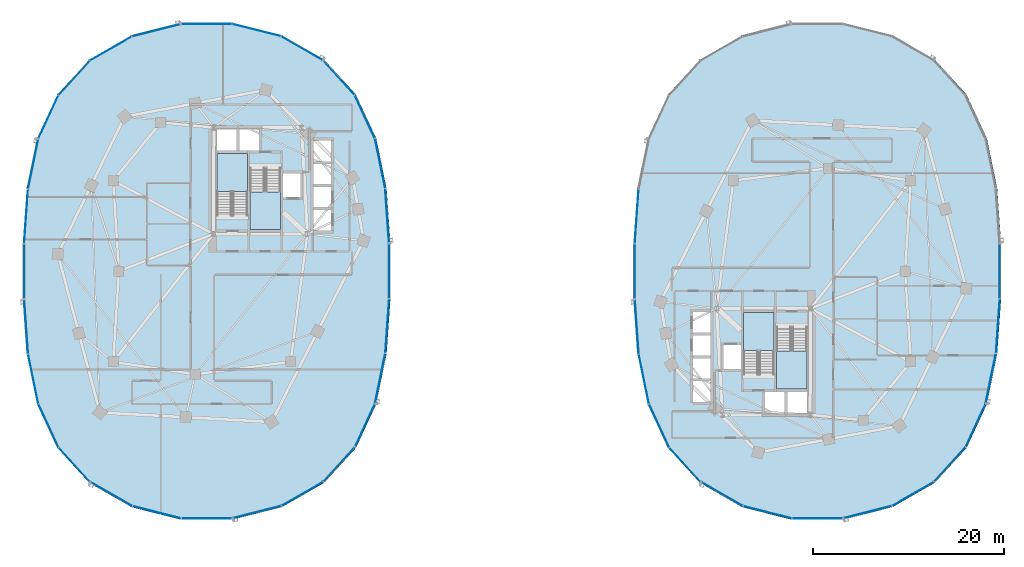
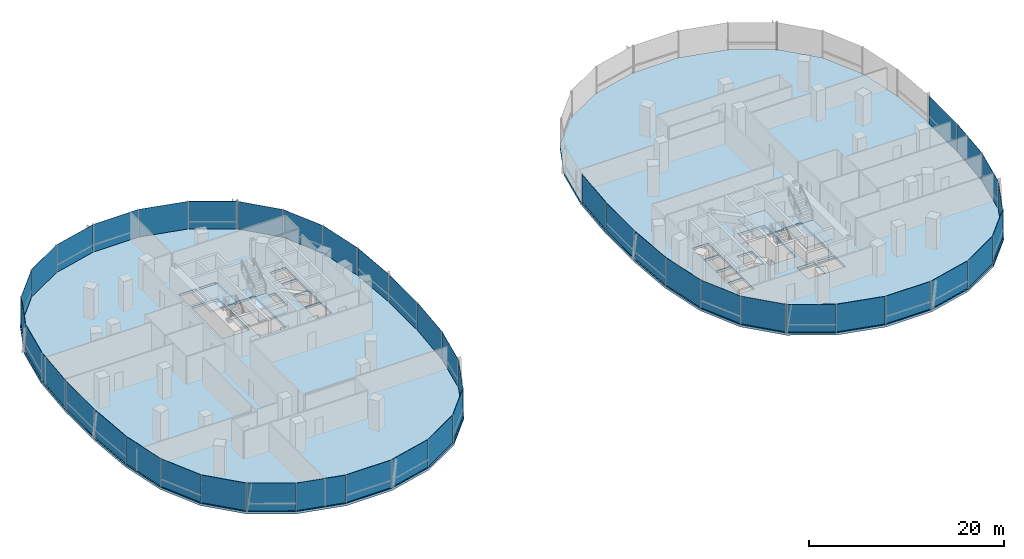
# One storey, part 9 of 21: 44 plates, 6 slabs, 11 elements without a shape of their own.
"""IFC4 building model written with IfcOpenShell, lengths in metres."""

from ifc_helpers import new_model, si_unit, direction, frame, origin, origin_2d, place, context, subcontext, project, spatial, polyline, rectangle, outline, extrude, material, layer, layer_set, type_object, element, aggregate, save


model = new_model("IFC4")

# Units and contexts
model_context = context("Model", 3, precision=1e-05, world=origin(), true_north=direction((0.0, 1.0)))
body_context = subcontext(model_context, "Body", "Model", "MODEL_VIEW")
ifc_project = project(units=[si_unit("LENGTHUNIT", "METRE"), si_unit("AREAUNIT", "SQUARE_METRE"), si_unit("VOLUMEUNIT", "CUBIC_METRE"), si_unit("PLANEANGLEUNIT", "RADIAN"), si_unit("MASSUNIT", "GRAM", prefix="KILO"), si_unit("THERMODYNAMICTEMPERATUREUNIT", "KELVIN"), si_unit("POWERUNIT", "WATT")], contexts=[model_context])

# Site, building, storey
site_placement = place(None, origin())
site = spatial("IfcSite", under=ifc_project, at=site_placement, CompositionType="ELEMENT")
building_placement = place(site_placement, origin())
building = spatial("IfcBuilding", under=site, at=building_placement, Name="Cundina Bronze Exchange", CompositionType="ELEMENT")
storey_placement = place(building_placement, frame((0.0, 0.0, 50.60009765625)))
storey = spatial("IfcBuildingStorey", under=building, at=storey_placement, Name="L12", CompositionType="ELEMENT", Elevation=50.60009765625)

# Curtain wall, plates
ifc_material_1 = material(Name="Anodised Bronze Aluminium 6063-T6", Category="aluminium")
curtain_wall_type = type_object("IfcCurtainWallType", Name="CWS-TRD-LOW", PredefinedType="NOTDEFINED", material=ifc_material_1)
curtain_wall_1_placement = place(storey_placement, origin())
curtain_wall_1 = element("IfcCurtainWall", 1, at=curtain_wall_1_placement, inside=storey, type_object=curtain_wall_type, Name="L12 CW-02 Curtain Wall Run CWR-L12-W1", PredefinedType="NOTDEFINED")
ifc_material_2 = material(Name="Heat-Strengthened Solar-Control Bronze Safety Glass 28mm", Category="glass")
ifc_layer_1 = layer(ifc_material_2, 0.028076171875, Name="Heat-Strengthened Solar-Control Bronze Safety Glass 28mm", Category="glass")
ifc_layer_set_1 = layer_set([ifc_layer_1], Name="Heat-Strengthened Solar-Control Bronze Safety Glass 28mm")
plate_type_1 = type_object("IfcPlateType", Name="PLT-GLZ-VIS28", PredefinedType="CURTAIN_PANEL", material=ifc_layer_set_1)
plate_1_placement = place(storey_placement, frame((-13.0732421875, 5.783935546875, 0.02001953125), z_axis=(0.0, 0.0, 1.0), x_axis=(-0.070278787473, 0.997527389113, 0.0)))
plate_1 = element("IfcPlate", 2, at=plate_1_placement, type_object=plate_type_1, Name="CW-02 Glazed Panel 1", PredefinedType="CURTAIN_PANEL", context=body_context, shape_type="SweptSolid", body=[
    extrude(rectangle(XDim=5.644287109375, YDim=0.028076171875, at=origin_2d()), origin(), (0.0, 0.0, 1.0), 3.4599609375),
])
plate_2_placement = place(storey_placement, frame((-13.81591796875, 11.269775390625, 0.02001953125), z_axis=(0.0, 0.0, 1.0), x_axis=(-0.201419845156, 0.979505000486, 0.0)))
plate_2 = element("IfcPlate", 3, at=plate_2_placement, type_object=plate_type_1, Name="CW-02 Glazed Panel 2", PredefinedType="CURTAIN_PANEL", context=body_context, shape_type="SweptSolid", body=[
    extrude(rectangle(XDim=5.306640625, YDim=0.028076171875, at=origin_2d()), origin(), (0.0, 0.0, 1.0), 3.4599609375),
])
plate_3_placement = place(storey_placement, frame((-18.1259765625, 20.267333984375, 0.02001953125), z_axis=(0.0, 0.0, 1.0), x_axis=(-0.674276610219, 0.73847887777, 0.0)))
plate_3 = element("IfcPlate", 4, at=plate_3_placement, type_object=plate_type_1, Name="CW-02 Glazed Panel 4", PredefinedType="CURTAIN_PANEL", context=body_context, shape_type="SweptSolid", body=[
    extrude(rectangle(XDim=4.86328125, YDim=0.028076171875, at=origin_2d()), origin(), (0.0, 0.0, 1.0), 3.4599609375),
])
plate_4_placement = place(storey_placement, frame((-21.980712890625, 23.34423828125, 0.02001953125), z_axis=(0.0, 0.0, 1.0), x_axis=(-0.867105478933, 0.498124571171, 0.0)))
plate_4 = element("IfcPlate", 5, at=plate_4_placement, type_object=plate_type_1, Name="CW-02 Glazed Panel 5", PredefinedType="CURTAIN_PANEL", context=body_context, shape_type="SweptSolid", body=[
    extrude(rectangle(XDim=5.021240234375, YDim=0.028076171875, at=origin_2d()), origin(), (0.0, 0.0, 1.0), 3.4599609375),
])
plate_5_placement = place(storey_placement, frame((-26.744384765625, 25.256591796875, 0.02001953125), z_axis=(0.0, 0.0, 1.0), x_axis=(-0.969488149345, 0.245138182011, 0.0)))
plate_5 = element("IfcPlate", 6, at=plate_5_placement, type_object=plate_type_1, Name="CW-02 Glazed Panel 6", PredefinedType="CURTAIN_PANEL", context=body_context, shape_type="SweptSolid", body=[
    extrude(rectangle(XDim=5.2333984375, YDim=0.028076171875, at=origin_2d()), origin(), (0.0, 0.0, 1.0), 3.4599609375),
])
plate_6_placement = place(storey_placement, frame((-32.0, 25.905029296875, 0.02001953125), z_axis=(0.0, 0.0, 1.0), x_axis=(-1.0, 0.0, 0.0)))
plate_6 = element("IfcPlate", 7, at=plate_6_placement, type_object=plate_type_1, Name="CW-02 Glazed Panel 7", PredefinedType="CURTAIN_PANEL", context=body_context, shape_type="SweptSolid", body=[
    extrude(rectangle(XDim=5.323974609375, YDim=0.028076171875, at=origin_2d()), origin(), (0.0, 0.0, 1.0), 3.4599609375),
])

curtain_wall_2_placement = place(storey_placement, origin())
curtain_wall_2 = element("IfcCurtainWall", 8, at=curtain_wall_2_placement, inside=storey, type_object=curtain_wall_type, Name="L12 CW-02 Curtain Wall Run CWR-L12-W2", PredefinedType="NOTDEFINED")
plate_7_placement = place(storey_placement, frame((-37.255615234375, 25.256591796875, 0.02001953125), z_axis=(0.0, 0.0, 1.0), x_axis=(-0.969488149345, -0.245138182011, 0.0)))
plate_7 = element("IfcPlate", 9, at=plate_7_placement, type_object=plate_type_1, Name="CW-02 Glazed Panel 1", PredefinedType="CURTAIN_PANEL", context=body_context, shape_type="SweptSolid", body=[
    extrude(rectangle(XDim=5.2333984375, YDim=0.028076171875, at=origin_2d()), origin(), (0.0, 0.0, 1.0), 3.4599609375),
])
plate_8_placement = place(storey_placement, frame((-45.8740234375, 20.267333984375, 0.02001953125), z_axis=(0.0, 0.0, 1.0), x_axis=(-0.674276610219, -0.73847887777, 0.0)))
plate_8 = element("IfcPlate", 10, at=plate_8_placement, type_object=plate_type_1, Name="CW-02 Glazed Panel 3", PredefinedType="CURTAIN_PANEL", context=body_context, shape_type="SweptSolid", body=[
    extrude(rectangle(XDim=4.86328125, YDim=0.028076171875, at=origin_2d()), origin(), (0.0, 0.0, 1.0), 3.4599609375),
])
plate_9_placement = place(storey_placement, frame((-48.586181640625, 16.177734375, 0.02001953125), z_axis=(0.0, 0.0, 1.0), x_axis=(-0.42084583328, -0.907132175932, 0.0)))
plate_9 = element("IfcPlate", 11, at=plate_9_placement, type_object=plate_type_1, Name="CW-02 Glazed Panel 4", PredefinedType="CURTAIN_PANEL", context=body_context, shape_type="SweptSolid", body=[
    extrude(rectangle(XDim=4.966552734375, YDim=0.028076171875, at=origin_2d()), origin(), (0.0, 0.0, 1.0), 3.4599609375),
])
plate_10_placement = place(storey_placement, frame((-50.18408203125, 11.269775390625, 0.02001953125), z_axis=(0.0, 0.0, 1.0), x_axis=(-0.201419845156, -0.979505000486, 0.0)))
plate_10 = element("IfcPlate", 12, at=plate_10_placement, type_object=plate_type_1, Name="CW-02 Glazed Panel 5", PredefinedType="CURTAIN_PANEL", context=body_context, shape_type="SweptSolid", body=[
    extrude(rectangle(XDim=5.306640625, YDim=0.028076171875, at=origin_2d()), origin(), (0.0, 0.0, 1.0), 3.4599609375),
])
plate_11_placement = place(storey_placement, frame((-50.9267578125, 5.783935546875, 0.02001953125), z_axis=(0.0, 0.0, 1.0), x_axis=(-0.070278787473, -0.997527389113, 0.0)))
plate_11 = element("IfcPlate", 13, at=plate_11_placement, type_object=plate_type_1, Name="CW-02 Glazed Panel 6", PredefinedType="CURTAIN_PANEL", context=body_context, shape_type="SweptSolid", body=[
    extrude(rectangle(XDim=5.644287109375, YDim=0.028076171875, at=origin_2d()), origin(), (0.0, 0.0, 1.0), 3.4599609375),
])

curtain_wall_3_placement = place(storey_placement, origin())
curtain_wall_3 = element("IfcCurtainWall", 14, at=curtain_wall_3_placement, inside=storey, type_object=curtain_wall_type, Name="L12 CW-02 Curtain Wall Run CWR-L12-W3", PredefinedType="NOTDEFINED")
plate_12_placement = place(storey_placement, frame((-50.18408203125, -11.269775390625, 0.02001953125), z_axis=(0.0, 0.0, 1.0), x_axis=(0.201419845156, -0.979505000486, 0.0)))
plate_12 = element("IfcPlate", 15, at=plate_12_placement, type_object=plate_type_1, Name="CW-02 Glazed Panel 2", PredefinedType="CURTAIN_PANEL", context=body_context, shape_type="SweptSolid", body=[
    extrude(rectangle(XDim=5.306640625, YDim=0.028076171875, at=origin_2d()), origin(), (0.0, 0.0, 1.0), 3.4599609375),
])
plate_13_placement = place(storey_placement, frame((-48.586181640625, -16.177734375, 0.02001953125), z_axis=(0.0, 0.0, 1.0), x_axis=(0.42084583328, -0.907132175932, 0.0)))
plate_13 = element("IfcPlate", 16, at=plate_13_placement, type_object=plate_type_1, Name="CW-02 Glazed Panel 3", PredefinedType="CURTAIN_PANEL", context=body_context, shape_type="SweptSolid", body=[
    extrude(rectangle(XDim=4.966552734375, YDim=0.028076171875, at=origin_2d()), origin(), (0.0, 0.0, 1.0), 3.4599609375),
])
plate_14_placement = place(storey_placement, frame((-45.8740234375, -20.267333984375, 0.02001953125), z_axis=(0.0, 0.0, 1.0), x_axis=(0.674276610219, -0.73847887777, 0.0)))
plate_14 = element("IfcPlate", 17, at=plate_14_placement, type_object=plate_type_1, Name="CW-02 Glazed Panel 4", PredefinedType="CURTAIN_PANEL", context=body_context, shape_type="SweptSolid", body=[
    extrude(rectangle(XDim=4.86328125, YDim=0.028076171875, at=origin_2d()), origin(), (0.0, 0.0, 1.0), 3.4599609375),
])
plate_15_placement = place(storey_placement, frame((-42.019287109375, -23.34423828125, 0.02001953125), z_axis=(0.0, 0.0, 1.0), x_axis=(0.867105478933, -0.498124571171, 0.0)))
plate_15 = element("IfcPlate", 18, at=plate_15_placement, type_object=plate_type_1, Name="CW-02 Glazed Panel 5", PredefinedType="CURTAIN_PANEL", context=body_context, shape_type="SweptSolid", body=[
    extrude(rectangle(XDim=5.021240234375, YDim=0.028076171875, at=origin_2d()), origin(), (0.0, 0.0, 1.0), 3.4599609375),
])
plate_16_placement = place(storey_placement, frame((-32.0, -25.905029296875, 0.02001953125), z_axis=(0.0, 0.0, 1.0), x_axis=(1.0, 0.0, 0.0)))
plate_16 = element("IfcPlate", 19, at=plate_16_placement, type_object=plate_type_1, Name="CW-02 Glazed Panel 7", PredefinedType="CURTAIN_PANEL", context=body_context, shape_type="SweptSolid", body=[
    extrude(rectangle(XDim=5.323974609375, YDim=0.028076171875, at=origin_2d()), origin(), (0.0, 0.0, 1.0), 3.4599609375),
])

curtain_wall_4_placement = place(storey_placement, origin())
curtain_wall_4 = element("IfcCurtainWall", 20, at=curtain_wall_4_placement, inside=storey, type_object=curtain_wall_type, Name="L12 CW-02 Curtain Wall Run CWR-L12-W4", PredefinedType="NOTDEFINED")
plate_17_placement = place(storey_placement, frame((-26.744384765625, -25.256591796875, 0.02001953125), z_axis=(0.0, 0.0, 1.0), x_axis=(0.969488149345, 0.245138182011, 0.0)))
plate_17 = element("IfcPlate", 21, at=plate_17_placement, type_object=plate_type_1, Name="CW-02 Glazed Panel 1", PredefinedType="CURTAIN_PANEL", context=body_context, shape_type="SweptSolid", body=[
    extrude(rectangle(XDim=5.2333984375, YDim=0.028076171875, at=origin_2d()), origin(), (0.0, 0.0, 1.0), 3.4599609375),
])
plate_18_placement = place(storey_placement, frame((-21.980712890625, -23.34423828125, 0.02001953125), z_axis=(0.0, 0.0, 1.0), x_axis=(0.867105478933, 0.498124571171, 0.0)))
plate_18 = element("IfcPlate", 22, at=plate_18_placement, type_object=plate_type_1, Name="CW-02 Glazed Panel 2", PredefinedType="CURTAIN_PANEL", context=body_context, shape_type="SweptSolid", body=[
    extrude(rectangle(XDim=5.021240234375, YDim=0.028076171875, at=origin_2d()), origin(), (0.0, 0.0, 1.0), 3.4599609375),
])
plate_19_placement = place(storey_placement, frame((-18.1259765625, -20.267333984375, 0.02001953125), z_axis=(0.0, 0.0, 1.0), x_axis=(0.674276610219, 0.73847887777, 0.0)))
plate_19 = element("IfcPlate", 23, at=plate_19_placement, type_object=plate_type_1, Name="CW-02 Glazed Panel 3", PredefinedType="CURTAIN_PANEL", context=body_context, shape_type="SweptSolid", body=[
    extrude(rectangle(XDim=4.86328125, YDim=0.028076171875, at=origin_2d()), origin(), (0.0, 0.0, 1.0), 3.4599609375),
])
plate_20_placement = place(storey_placement, frame((-15.413818359375, -16.177734375, 0.02001953125), z_axis=(0.0, 0.0, 1.0), x_axis=(0.42084583328, 0.907132175932, 0.0)))
plate_20 = element("IfcPlate", 24, at=plate_20_placement, type_object=plate_type_1, Name="CW-02 Glazed Panel 4", PredefinedType="CURTAIN_PANEL", context=body_context, shape_type="SweptSolid", body=[
    extrude(rectangle(XDim=4.966552734375, YDim=0.028076171875, at=origin_2d()), origin(), (0.0, 0.0, 1.0), 3.4599609375),
])
plate_21_placement = place(storey_placement, frame((-13.0732421875, -5.783935546875, 0.02001953125), z_axis=(0.0, 0.0, 1.0), x_axis=(0.070278787473, 0.997527389113, 0.0)))
plate_21 = element("IfcPlate", 25, at=plate_21_placement, type_object=plate_type_1, Name="CW-02 Glazed Panel 6", PredefinedType="CURTAIN_PANEL", context=body_context, shape_type="SweptSolid", body=[
    extrude(rectangle(XDim=5.644287109375, YDim=0.028076171875, at=origin_2d()), origin(), (0.0, 0.0, 1.0), 3.4599609375),
])
plate_22_placement = place(storey_placement, frame((-12.8720703125, 0.0, 0.02001953125), z_axis=(0.0, 0.0, 1.0), x_axis=(0.0, 1.0, 0.0)))
plate_22 = element("IfcPlate", 26, at=plate_22_placement, type_object=plate_type_1, Name="CW-02 Glazed Panel 7", PredefinedType="CURTAIN_PANEL", context=body_context, shape_type="SweptSolid", body=[
    extrude(rectangle(XDim=5.77587890625, YDim=0.028076171875, at=origin_2d()), origin(), (0.0, 0.0, 1.0), 3.4599609375),
])

# Curtain wall, plate
curtain_wall_5_placement = place(storey_placement, origin())
curtain_wall_5 = element("IfcCurtainWall", 27, at=curtain_wall_5_placement, inside=storey, type_object=curtain_wall_type, Name="L12 CW-02 Curtain Wall Run CWR-L12-E2", PredefinedType="NOTDEFINED")
plate_23_placement = place(storey_placement, frame((13.0732421875, 5.783935546875, 0.02001953125), z_axis=(0.0, 0.0, 1.0), x_axis=(-0.070278787473, -0.997527389113, 0.0)))
plate_23 = element("IfcPlate", 28, at=plate_23_placement, type_object=plate_type_1, Name="CW-02 Glazed Panel 6", PredefinedType="CURTAIN_PANEL", context=body_context, shape_type="SweptSolid", body=[
    extrude(rectangle(XDim=5.644287109375, YDim=0.028076171875, at=origin_2d()), origin(), (0.0, 0.0, 1.0), 3.4599609375),
])

# Curtain wall, plates
curtain_wall_6_placement = place(storey_placement, origin())
curtain_wall_6 = element("IfcCurtainWall", 29, at=curtain_wall_6_placement, inside=storey, type_object=curtain_wall_type, Name="L12 CW-02 Curtain Wall Run CWR-L12-E3", PredefinedType="NOTDEFINED")
plate_24_placement = place(storey_placement, frame((13.81591796875, -11.269775390625, 0.02001953125), z_axis=(0.0, 0.0, 1.0), x_axis=(0.201419845156, -0.979505000486, 0.0)))
plate_24 = element("IfcPlate", 30, at=plate_24_placement, type_object=plate_type_1, Name="CW-02 Glazed Panel 2", PredefinedType="CURTAIN_PANEL", context=body_context, shape_type="SweptSolid", body=[
    extrude(rectangle(XDim=5.306640625, YDim=0.028076171875, at=origin_2d()), origin(), (0.0, 0.0, 1.0), 3.4599609375),
])
plate_25_placement = place(storey_placement, frame((15.413818359375, -16.177734375, 0.02001953125), z_axis=(0.0, 0.0, 1.0), x_axis=(0.42084583328, -0.907132175932, 0.0)))
plate_25 = element("IfcPlate", 31, at=plate_25_placement, type_object=plate_type_1, Name="CW-02 Glazed Panel 3", PredefinedType="CURTAIN_PANEL", context=body_context, shape_type="SweptSolid", body=[
    extrude(rectangle(XDim=4.966552734375, YDim=0.028076171875, at=origin_2d()), origin(), (0.0, 0.0, 1.0), 3.4599609375),
])
plate_26_placement = place(storey_placement, frame((18.1259765625, -20.267333984375, 0.02001953125), z_axis=(0.0, 0.0, 1.0), x_axis=(0.674276610219, -0.73847887777, 0.0)))
plate_26 = element("IfcPlate", 32, at=plate_26_placement, type_object=plate_type_1, Name="CW-02 Glazed Panel 4", PredefinedType="CURTAIN_PANEL", context=body_context, shape_type="SweptSolid", body=[
    extrude(rectangle(XDim=4.86328125, YDim=0.028076171875, at=origin_2d()), origin(), (0.0, 0.0, 1.0), 3.4599609375),
])
plate_27_placement = place(storey_placement, frame((21.980712890625, -23.34423828125, 0.02001953125), z_axis=(0.0, 0.0, 1.0), x_axis=(0.867105478933, -0.498124571171, 0.0)))
plate_27 = element("IfcPlate", 33, at=plate_27_placement, type_object=plate_type_1, Name="CW-02 Glazed Panel 5", PredefinedType="CURTAIN_PANEL", context=body_context, shape_type="SweptSolid", body=[
    extrude(rectangle(XDim=5.021240234375, YDim=0.028076171875, at=origin_2d()), origin(), (0.0, 0.0, 1.0), 3.4599609375),
])
plate_28_placement = place(storey_placement, frame((32.0, -25.905029296875, 0.02001953125), z_axis=(0.0, 0.0, 1.0), x_axis=(1.0, 0.0, 0.0)))
plate_28 = element("IfcPlate", 34, at=plate_28_placement, type_object=plate_type_1, Name="CW-02 Glazed Panel 7", PredefinedType="CURTAIN_PANEL", context=body_context, shape_type="SweptSolid", body=[
    extrude(rectangle(XDim=5.323974609375, YDim=0.028076171875, at=origin_2d()), origin(), (0.0, 0.0, 1.0), 3.4599609375),
])

curtain_wall_7_placement = place(storey_placement, origin())
curtain_wall_7 = element("IfcCurtainWall", 35, at=curtain_wall_7_placement, inside=storey, type_object=curtain_wall_type, Name="L12 CW-02 Curtain Wall Run CWR-L12-E4", PredefinedType="NOTDEFINED")
plate_29_placement = place(storey_placement, frame((37.255615234375, -25.256591796875, 0.02001953125), z_axis=(0.0, 0.0, 1.0), x_axis=(0.969488149345, 0.245138182011, 0.0)))
plate_29 = element("IfcPlate", 36, at=plate_29_placement, type_object=plate_type_1, Name="CW-02 Glazed Panel 1", PredefinedType="CURTAIN_PANEL", context=body_context, shape_type="SweptSolid", body=[
    extrude(rectangle(XDim=5.2333984375, YDim=0.028076171875, at=origin_2d()), origin(), (0.0, 0.0, 1.0), 3.4599609375),
])
plate_30_placement = place(storey_placement, frame((42.019287109375, -23.34423828125, 0.02001953125), z_axis=(0.0, 0.0, 1.0), x_axis=(0.867105478933, 0.498124571171, 0.0)))
plate_30 = element("IfcPlate", 37, at=plate_30_placement, type_object=plate_type_1, Name="CW-02 Glazed Panel 2", PredefinedType="CURTAIN_PANEL", context=body_context, shape_type="SweptSolid", body=[
    extrude(rectangle(XDim=5.021240234375, YDim=0.028076171875, at=origin_2d()), origin(), (0.0, 0.0, 1.0), 3.4599609375),
])
plate_31_placement = place(storey_placement, frame((45.8740234375, -20.267333984375, 0.02001953125), z_axis=(0.0, 0.0, 1.0), x_axis=(0.674276610219, 0.73847887777, 0.0)))
plate_31 = element("IfcPlate", 38, at=plate_31_placement, type_object=plate_type_1, Name="CW-02 Glazed Panel 3", PredefinedType="CURTAIN_PANEL", context=body_context, shape_type="SweptSolid", body=[
    extrude(rectangle(XDim=4.86328125, YDim=0.028076171875, at=origin_2d()), origin(), (0.0, 0.0, 1.0), 3.4599609375),
])
plate_32_placement = place(storey_placement, frame((48.586181640625, -16.177734375, 0.02001953125), z_axis=(0.0, 0.0, 1.0), x_axis=(0.42084583328, 0.907132175932, 0.0)))
plate_32 = element("IfcPlate", 39, at=plate_32_placement, type_object=plate_type_1, Name="CW-02 Glazed Panel 4", PredefinedType="CURTAIN_PANEL", context=body_context, shape_type="SweptSolid", body=[
    extrude(rectangle(XDim=4.966552734375, YDim=0.028076171875, at=origin_2d()), origin(), (0.0, 0.0, 1.0), 3.4599609375),
])
plate_33_placement = place(storey_placement, frame((50.9267578125, -5.783935546875, 0.02001953125), z_axis=(0.0, 0.0, 1.0), x_axis=(0.070278787473, 0.997527389113, 0.0)))
plate_33 = element("IfcPlate", 40, at=plate_33_placement, type_object=plate_type_1, Name="CW-02 Glazed Panel 6", PredefinedType="CURTAIN_PANEL", context=body_context, shape_type="SweptSolid", body=[
    extrude(rectangle(XDim=5.644287109375, YDim=0.028076171875, at=origin_2d()), origin(), (0.0, 0.0, 1.0), 3.4599609375),
])
plate_34_placement = place(storey_placement, frame((51.1279296875, 0.0, 0.02001953125), z_axis=(0.0, 0.0, 1.0), x_axis=(0.0, 1.0, 0.0)))
plate_34 = element("IfcPlate", 41, at=plate_34_placement, type_object=plate_type_1, Name="CW-02 Glazed Panel 7", PredefinedType="CURTAIN_PANEL", context=body_context, shape_type="SweptSolid", body=[
    extrude(rectangle(XDim=5.77587890625, YDim=0.028076171875, at=origin_2d()), origin(), (0.0, 0.0, 1.0), 3.4599609375),
])

# Plate
ifc_material_3 = material(Name="Dark Bronze Spandrel Glass Panel 32mm", Category="glass")
ifc_layer_2 = layer(ifc_material_3, 0.031982421875, Name="Dark Bronze Spandrel Glass Panel 32mm", Category="glass")
ifc_layer_set_2 = layer_set([ifc_layer_2], Name="Dark Bronze Spandrel Glass Panel 32mm")
plate_type_2 = type_object("IfcPlateType", Name="PLT-SPN-BRZ32", PredefinedType="CURTAIN_PANEL", material=ifc_layer_set_2)
plate_35_placement = place(storey_placement, frame((-15.413818359375, 16.177734375, 0.02001953125), z_axis=(0.0, 0.0, 1.0), x_axis=(-0.42084583328, 0.907132175932, 0.0)))
plate_35 = element("IfcPlate", 42, at=plate_35_placement, type_object=plate_type_2, Name="CW-02 Glazed Panel 3", PredefinedType="CURTAIN_PANEL", context=body_context, shape_type="SweptSolid", body=[
    extrude(rectangle(XDim=4.966552734375, YDim=0.031982421875, at=origin_2d()), origin(), (0.0, 0.0, 1.0), 3.4599609375),
])

aggregate(curtain_wall_1, [plate_1, plate_2, plate_35, plate_3, plate_4, plate_5, plate_6])

plate_36_placement = place(storey_placement, frame((-42.019287109375, 23.34423828125, 0.02001953125), z_axis=(0.0, 0.0, 1.0), x_axis=(-0.867105478933, -0.498124571171, 0.0)))
plate_36 = element("IfcPlate", 43, at=plate_36_placement, type_object=plate_type_2, Name="CW-02 Glazed Panel 2", PredefinedType="CURTAIN_PANEL", context=body_context, shape_type="SweptSolid", body=[
    extrude(rectangle(XDim=5.021240234375, YDim=0.031982421875, at=origin_2d()), origin(), (0.0, 0.0, 1.0), 3.4599609375),
])

plate_37_placement = place(storey_placement, frame((-51.1279296875, 0.0, 0.02001953125), z_axis=(0.0, 0.0, 1.0), x_axis=(0.0, -1.0, 0.0)))
plate_37 = element("IfcPlate", 44, at=plate_37_placement, type_object=plate_type_2, Name="CW-02 Glazed Panel 7", PredefinedType="CURTAIN_PANEL", context=body_context, shape_type="SweptSolid", body=[
    extrude(rectangle(XDim=5.77587890625, YDim=0.031982421875, at=origin_2d()), origin(), (0.0, 0.0, 1.0), 3.4599609375),
])

aggregate(curtain_wall_2, [plate_7, plate_36, plate_8, plate_9, plate_10, plate_11, plate_37])

plate_38_placement = place(storey_placement, frame((-50.9267578125, -5.783935546875, 0.02001953125), z_axis=(0.0, 0.0, 1.0), x_axis=(0.070278787473, -0.997527389113, 0.0)))
plate_38 = element("IfcPlate", 45, at=plate_38_placement, type_object=plate_type_2, Name="CW-02 Glazed Panel 1", PredefinedType="CURTAIN_PANEL", context=body_context, shape_type="SweptSolid", body=[
    extrude(rectangle(XDim=5.644287109375, YDim=0.031982421875, at=origin_2d()), origin(), (0.0, 0.0, 1.0), 3.4599609375),
])

plate_39_placement = place(storey_placement, frame((-37.255615234375, -25.256591796875, 0.02001953125), z_axis=(0.0, 0.0, 1.0), x_axis=(0.969488149345, -0.245138182011, 0.0)))
plate_39 = element("IfcPlate", 46, at=plate_39_placement, type_object=plate_type_2, Name="CW-02 Glazed Panel 6", PredefinedType="CURTAIN_PANEL", context=body_context, shape_type="SweptSolid", body=[
    extrude(rectangle(XDim=5.2333984375, YDim=0.031982421875, at=origin_2d()), origin(), (0.0, 0.0, 1.0), 3.4599609375),
])

aggregate(curtain_wall_3, [plate_38, plate_12, plate_13, plate_14, plate_15, plate_39, plate_16])

plate_40_placement = place(storey_placement, frame((-13.81591796875, -11.269775390625, 0.02001953125), z_axis=(0.0, 0.0, 1.0), x_axis=(0.201419845156, 0.979505000486, 0.0)))
plate_40 = element("IfcPlate", 47, at=plate_40_placement, type_object=plate_type_2, Name="CW-02 Glazed Panel 5", PredefinedType="CURTAIN_PANEL", context=body_context, shape_type="SweptSolid", body=[
    extrude(rectangle(XDim=5.306640625, YDim=0.031982421875, at=origin_2d()), origin(), (0.0, 0.0, 1.0), 3.4599609375),
])

aggregate(curtain_wall_4, [plate_17, plate_18, plate_19, plate_20, plate_40, plate_21, plate_22])

plate_41_placement = place(storey_placement, frame((12.8720703125, 0.0, 0.02001953125), z_axis=(0.0, 0.0, 1.0), x_axis=(0.0, -1.0, 0.0)))
plate_41 = element("IfcPlate", 48, at=plate_41_placement, type_object=plate_type_2, Name="CW-02 Glazed Panel 7", PredefinedType="CURTAIN_PANEL", context=body_context, shape_type="SweptSolid", body=[
    extrude(rectangle(XDim=5.77587890625, YDim=0.031982421875, at=origin_2d()), origin(), (0.0, 0.0, 1.0), 3.4599609375),
])

aggregate(curtain_wall_5, [plate_23, plate_41])

plate_42_placement = place(storey_placement, frame((13.0732421875, -5.783935546875, 0.02001953125), z_axis=(0.0, 0.0, 1.0), x_axis=(0.070278787473, -0.997527389113, 0.0)))
plate_42 = element("IfcPlate", 49, at=plate_42_placement, type_object=plate_type_2, Name="CW-02 Glazed Panel 1", PredefinedType="CURTAIN_PANEL", context=body_context, shape_type="SweptSolid", body=[
    extrude(rectangle(XDim=5.644287109375, YDim=0.031982421875, at=origin_2d()), origin(), (0.0, 0.0, 1.0), 3.4599609375),
])

plate_43_placement = place(storey_placement, frame((26.744384765625, -25.256591796875, 0.02001953125), z_axis=(0.0, 0.0, 1.0), x_axis=(0.969488149345, -0.245138182011, 0.0)))
plate_43 = element("IfcPlate", 50, at=plate_43_placement, type_object=plate_type_2, Name="CW-02 Glazed Panel 6", PredefinedType="CURTAIN_PANEL", context=body_context, shape_type="SweptSolid", body=[
    extrude(rectangle(XDim=5.2333984375, YDim=0.031982421875, at=origin_2d()), origin(), (0.0, 0.0, 1.0), 3.4599609375),
])

aggregate(curtain_wall_6, [plate_42, plate_24, plate_25, plate_26, plate_27, plate_43, plate_28])

plate_44_placement = place(storey_placement, frame((50.18408203125, -11.269775390625, 0.02001953125), z_axis=(0.0, 0.0, 1.0), x_axis=(0.201419845156, 0.979505000486, 0.0)))
plate_44 = element("IfcPlate", 51, at=plate_44_placement, type_object=plate_type_2, Name="CW-02 Glazed Panel 5", PredefinedType="CURTAIN_PANEL", context=body_context, shape_type="SweptSolid", body=[
    extrude(rectangle(XDim=5.306640625, YDim=0.031982421875, at=origin_2d()), origin(), (0.0, 0.0, 1.0), 3.4599609375),
])

aggregate(curtain_wall_7, [plate_29, plate_30, plate_31, plate_32, plate_44, plate_33, plate_34])

# Stair, slab
ifc_material_4 = material(Name="Concrete C40/50", Category="concrete")
stair_type = type_object("IfcStairType", Name="STR-TRD-380", PredefinedType="HALF_TURN_STAIR", material=ifc_material_4)
stair_1_placement = place(storey_placement, origin())
stair_1 = element("IfcStair", 52, at=stair_1_placement, inside=storey, type_object=stair_type, Name="L12 Smokeproof Exit Stair W1", PredefinedType="HALF_TURN_STAIR")
ifc_layer_3 = layer(ifc_material_4, 0.199951171875, Name="Concrete C40/50", Category="concrete")
ifc_layer_set_3 = layer_set([ifc_layer_3], Name="Concrete C40/50")
slab_type_1 = type_object("IfcSlabType", Name="SLB-LND-200", PredefinedType="LANDING", material=ifc_layer_set_3)
slab_1_placement = place(storey_placement, frame((0.0, 0.0, 1.699951171875)))
slab_1 = element("IfcSlab", 53, at=slab_1_placement, type_object=slab_type_1, Name="ST-W1 landing 1", PredefinedType="LANDING", context=body_context, shape_type="SweptSolid", body=[
    extrude(outline(polyline([(-27.739990234375, 8.3701171875), (-27.739990234375, 12.35009765625), (-30.89990234375, 12.35009765625), (-30.89990234375, 8.3701171875), (-27.739990234375, 8.3701171875)])), origin(), (0.0, 0.0, 1.0), 0.199951171875),
])
aggregate(stair_1, [slab_1])

stair_2_placement = place(storey_placement, origin())
stair_2 = element("IfcStair", 54, at=stair_2_placement, inside=storey, type_object=stair_type, Name="L12 Smokeproof Exit Stair W2", PredefinedType="HALF_TURN_STAIR")
slab_2_placement = place(storey_placement, frame((0.0, 0.0, 1.699951171875)))
slab_2 = element("IfcSlab", 55, at=slab_2_placement, type_object=slab_type_1, Name="ST-W2 landing 1", PredefinedType="LANDING", context=body_context, shape_type="SweptSolid", body=[
    extrude(outline(polyline([(-27.43994140625, 8.330078125), (-27.43994140625, 4.35009765625), (-24.280029296875, 4.35009765625), (-24.280029296875, 8.330078125), (-27.43994140625, 8.330078125)])), origin(), (0.0, 0.0, 1.0), 0.199951171875),
])
aggregate(stair_2, [slab_2])

stair_3_placement = place(storey_placement, origin())
stair_3 = element("IfcStair", 56, at=stair_3_placement, inside=storey, type_object=stair_type, Name="L12 Smokeproof Exit Stair E1", PredefinedType="HALF_TURN_STAIR")
slab_3_placement = place(storey_placement, frame((0.0, 0.0, 1.699951171875)))
slab_3 = element("IfcSlab", 57, at=slab_3_placement, type_object=slab_type_1, Name="ST-E1 landing 1", PredefinedType="LANDING", context=body_context, shape_type="SweptSolid", body=[
    extrude(outline(polyline([(27.739990234375, -8.3701171875), (27.739990234375, -12.35009765625), (30.89990234375, -12.35009765625), (30.89990234375, -8.3701171875), (27.739990234375, -8.3701171875)])), origin(), (0.0, 0.0, 1.0), 0.199951171875),
])
aggregate(stair_3, [slab_3])

stair_4_placement = place(storey_placement, origin())
stair_4 = element("IfcStair", 58, at=stair_4_placement, inside=storey, type_object=stair_type, Name="L12 Smokeproof Exit Stair E2", PredefinedType="HALF_TURN_STAIR")
slab_4_placement = place(storey_placement, frame((0.0, 0.0, 1.699951171875)))
slab_4 = element("IfcSlab", 59, at=slab_4_placement, type_object=slab_type_1, Name="ST-E2 landing 1", PredefinedType="LANDING", context=body_context, shape_type="SweptSolid", body=[
    extrude(outline(polyline([(27.43994140625, -8.330078125), (27.43994140625, -4.35009765625), (24.280029296875, -4.35009765625), (24.280029296875, -8.330078125), (27.43994140625, -8.330078125)])), origin(), (0.0, 0.0, 1.0), 0.199951171875),
])
aggregate(stair_4, [slab_4])

# Slabs
ifc_material_5 = material(Name="Concrete C50/60", Category="concrete")
ifc_layer_4 = layer(ifc_material_5, 0.300048828125, Name="Concrete C50/60", Category="concrete")
ifc_layer_set_4 = layer_set([ifc_layer_4], Name="Concrete C50/60")
slab_type_2 = type_object("IfcSlabType", Name="SLB-TRD-300", PredefinedType="FLOOR", material=ifc_layer_set_4)
slab_5_placement = place(storey_placement, frame((0.0, 0.0, -0.300048828125)))
element("IfcSlab", 60, at=slab_5_placement, inside=storey, type_object=slab_type_2, Name="L12 Leg W Structural Floor Slab", PredefinedType="FLOOR", context=body_context, shape_type="SweptSolid", body=[
    extrude(outline(polyline([(-12.741943359375, 2.93310546875), (-13.14501953125, 8.653076171875), (-14.23193359375, 13.93896484375), (-16.360107421875, 18.52587890625), (-19.699951171875, 22.18408203125), (-24.132080078125, 24.72998046875), (-29.29296875, 26.034912109375), (-34.70703125, 26.034912109375), (-39.867919921875, 24.72998046875), (-44.300048828125, 22.18408203125), (-47.639892578125, 18.52587890625), (-49.76806640625, 13.93896484375), (-50.85498046875, 8.653076171875), (-51.258056640625, 2.93310546875), (-51.258056640625, -2.93310546875), (-50.85498046875, -8.653076171875), (-49.76806640625, -13.93896484375), (-47.639892578125, -18.52587890625), (-44.300048828125, -22.18408203125), (-39.867919921875, -24.72998046875), (-34.70703125, -26.034912109375), (-29.29296875, -26.034912109375), (-24.132080078125, -24.72998046875), (-19.699951171875, -22.18408203125), (-16.360107421875, -18.52587890625), (-14.23193359375, -13.93896484375), (-13.14501953125, -8.653076171875), (-12.741943359375, -2.93310546875), (-12.741943359375, 2.93310546875)]), holes=[polyline([(-27.739990234375, 5.85009765625), (-27.739990234375, 12.35009765625), (-30.89990234375, 12.35009765625), (-30.89990234375, 5.85009765625), (-27.739990234375, 5.85009765625)]), polyline([(-27.43994140625, 10.85009765625), (-27.43994140625, 4.35009765625), (-24.280029296875, 4.35009765625), (-24.280029296875, 10.85009765625), (-27.43994140625, 10.85009765625)]), polyline([(-23.97998046875, 10.25), (-22.179931640625, 10.25), (-22.179931640625, 7.75), (-23.97998046875, 7.75), (-23.97998046875, 10.25)]), polyline([(-30.89990234375, 14.949951171875), (-28.85009765625, 14.949951171875), (-28.85009765625, 12.64990234375), (-30.89990234375, 12.64990234375), (-30.89990234375, 14.949951171875)]), polyline([(-28.550048828125, 14.949951171875), (-26.5, 14.949951171875), (-26.5, 12.64990234375), (-28.550048828125, 12.64990234375), (-28.550048828125, 14.949951171875)]), polyline([(-20.800048828125, 13.699951171875), (-18.949951171875, 13.699951171875), (-18.949951171875, 11.449951171875), (-20.800048828125, 11.449951171875), (-20.800048828125, 13.699951171875)]), polyline([(-20.800048828125, 11.300048828125), (-18.949951171875, 11.300048828125), (-18.949951171875, 9.050048828125), (-20.800048828125, 9.050048828125), (-20.800048828125, 11.300048828125)]), polyline([(-20.800048828125, 8.89990234375), (-18.949951171875, 8.89990234375), (-18.949951171875, 6.64990234375), (-20.800048828125, 6.64990234375), (-20.800048828125, 8.89990234375)]), polyline([(-20.800048828125, 6.5), (-18.949951171875, 6.5), (-18.949951171875, 4.25), (-20.800048828125, 4.25), (-20.800048828125, 6.5)])]), origin(), (0.0, 0.0, 1.0), 0.300048828125),
])
slab_6_placement = place(storey_placement, frame((0.0, 0.0, -0.300048828125)))
element("IfcSlab", 61, at=slab_6_placement, inside=storey, type_object=slab_type_2, Name="L12 Leg E Structural Floor Slab", PredefinedType="FLOOR", context=body_context, shape_type="SweptSolid", body=[
    extrude(outline(polyline([(51.258056640625, 2.93310546875), (50.85498046875, 8.653076171875), (49.76806640625, 13.93896484375), (47.639892578125, 18.52587890625), (44.300048828125, 22.18408203125), (39.867919921875, 24.72998046875), (34.70703125, 26.034912109375), (29.29296875, 26.034912109375), (24.132080078125, 24.72998046875), (19.699951171875, 22.18408203125), (16.360107421875, 18.52587890625), (14.23193359375, 13.93896484375), (13.14501953125, 8.653076171875), (12.741943359375, 2.93310546875), (12.741943359375, -2.93310546875), (13.14501953125, -8.653076171875), (14.23193359375, -13.93896484375), (16.360107421875, -18.52587890625), (19.699951171875, -22.18408203125), (24.132080078125, -24.72998046875), (29.29296875, -26.034912109375), (34.70703125, -26.034912109375), (39.867919921875, -24.72998046875), (44.300048828125, -22.18408203125), (47.639892578125, -18.52587890625), (49.76806640625, -13.93896484375), (50.85498046875, -8.653076171875), (51.258056640625, -2.93310546875), (51.258056640625, 2.93310546875)]), holes=[polyline([(27.739990234375, -5.85009765625), (27.739990234375, -12.35009765625), (30.89990234375, -12.35009765625), (30.89990234375, -5.85009765625), (27.739990234375, -5.85009765625)]), polyline([(27.43994140625, -10.85009765625), (27.43994140625, -4.35009765625), (24.280029296875, -4.35009765625), (24.280029296875, -10.85009765625), (27.43994140625, -10.85009765625)]), polyline([(22.179931640625, -7.75), (23.97998046875, -7.75), (23.97998046875, -10.25), (22.179931640625, -10.25), (22.179931640625, -7.75)]), polyline([(28.85009765625, -12.64990234375), (30.89990234375, -12.64990234375), (30.89990234375, -14.949951171875), (28.85009765625, -14.949951171875), (28.85009765625, -12.64990234375)]), polyline([(26.5, -12.64990234375), (28.550048828125, -12.64990234375), (28.550048828125, -14.949951171875), (26.5, -14.949951171875), (26.5, -12.64990234375)]), polyline([(18.949951171875, -11.449951171875), (20.800048828125, -11.449951171875), (20.800048828125, -13.699951171875), (18.949951171875, -13.699951171875), (18.949951171875, -11.449951171875)]), polyline([(18.949951171875, -9.050048828125), (20.800048828125, -9.050048828125), (20.800048828125, -11.300048828125), (18.949951171875, -11.300048828125), (18.949951171875, -9.050048828125)]), polyline([(18.949951171875, -6.64990234375), (20.800048828125, -6.64990234375), (20.800048828125, -8.89990234375), (18.949951171875, -8.89990234375), (18.949951171875, -6.64990234375)]), polyline([(18.949951171875, -4.25), (20.800048828125, -4.25), (20.800048828125, -6.5), (18.949951171875, -6.5), (18.949951171875, -4.25)])]), origin(), (0.0, 0.0, 1.0), 0.300048828125),
])

save(model, "model.ifc")
